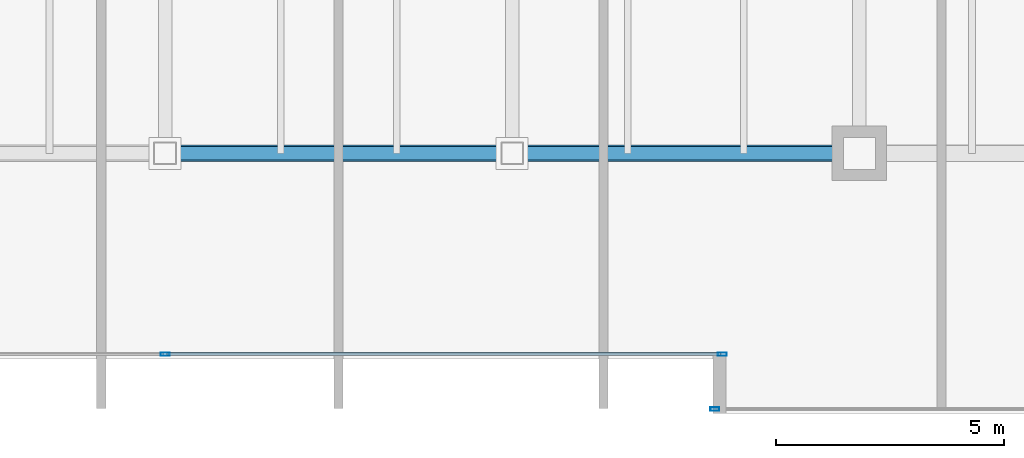
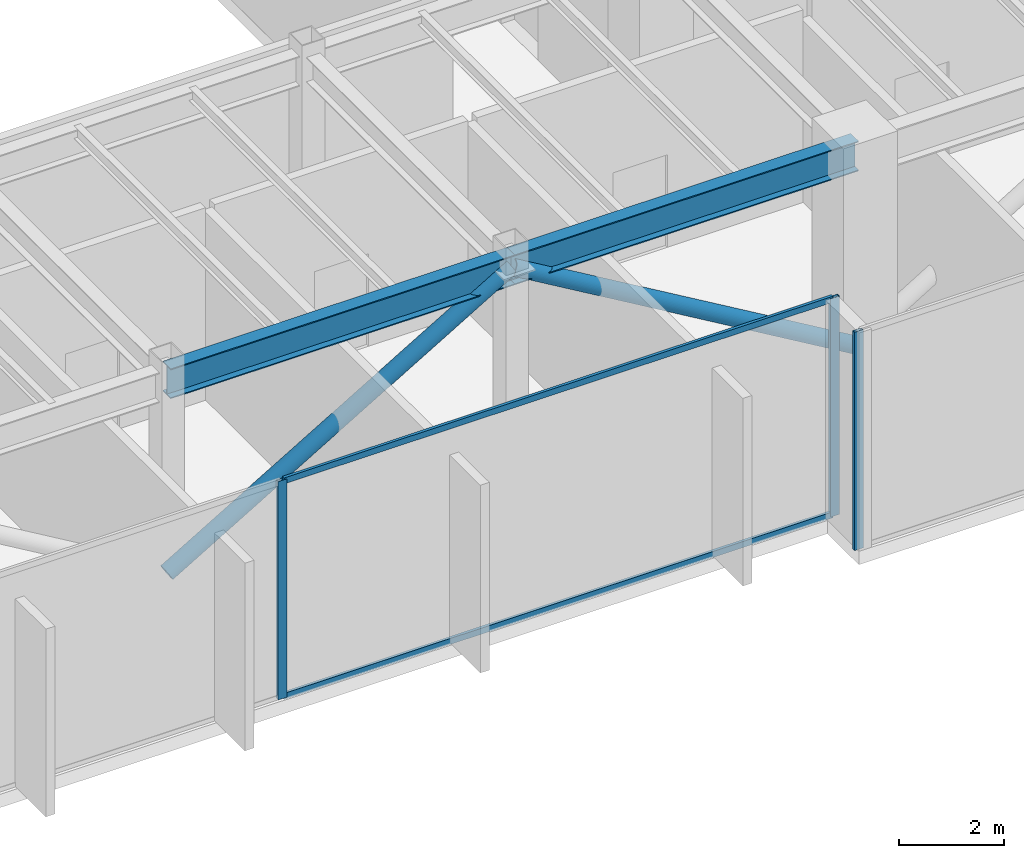
# One storey, part 10 of 34: 7 members, 2 beams, 2 elements without a shape of their own.
"""IFC4 building model written with IfcOpenShell, lengths in metres."""

from ifc_helpers import new_model, si_unit, direction, frame, origin, origin_2d, place, context, subcontext, project, spatial, hollow_rectangle, hollow_circle, i_section, extrude, source, transform, mapped, material, layer, layer_set, material_profile, profile_set, type_object, type_shapes, element, aggregate, save


model = new_model("IFC4")

# Units and contexts
model_context = context("Model", 3, precision=1e-05, world=origin(), true_north=direction((0.0, 1.0)))
body_context = subcontext(model_context, "Body", "Model", "MODEL_VIEW")
ifc_project = project(units=[si_unit("LENGTHUNIT", "METRE"), si_unit("AREAUNIT", "SQUARE_METRE"), si_unit("VOLUMEUNIT", "CUBIC_METRE"), si_unit("PLANEANGLEUNIT", "RADIAN"), si_unit("MASSUNIT", "GRAM", prefix="KILO")], contexts=[model_context])

# Site, building, storey
site_placement = place(None, origin())
site = spatial("IfcSite", under=ifc_project, at=site_placement, CompositionType="ELEMENT")
building_placement = place(site_placement, origin())
building = spatial("IfcBuilding", under=site, at=building_placement, Name="Haelvirn Gate Laboratories", CompositionType="ELEMENT")
storey_placement = place(building_placement, frame((0.0, 0.0, 191.199951171875)))
storey = spatial("IfcBuildingStorey", under=building, at=storey_placement, Name="L46", CompositionType="ELEMENT", Elevation=191.199951171875)

# Beams
ifc_material_1 = material(Name="Steel SM355", Category="steel")
ifc_material_profile_1 = material_profile(ifc_material_1, i_section(OverallWidth=0.300048828125, OverallDepth=0.699951171875, WebThickness=0.012939453125, FlangeThickness=0.02392578125, at=origin_2d()), Name="H-700x300x13x24")
ifc_profile_set_1 = profile_set([ifc_material_profile_1], Name="Steel SM355")
beam_type = type_object("IfcBeamType", Name="BM-G-700", PredefinedType="BEAM", material=ifc_profile_set_1)
shared_shape_1 = source(origin(), body_context, "Body", "SweptSolid", [
    extrude(i_section(OverallWidth=0.300048828125, OverallDepth=0.699951171875, WebThickness=0.012939453125, FlangeThickness=0.02392578125, at=origin_2d()), origin(), (0.0, 0.0, 1.0), 7.60009765625),
])
type_shapes(beam_type, [shared_shape_1])
for number, where, z_axis, x_axis, name in (
    (1, (37.39990234375, 7.0, 4.75), (1.0, 0.0, 0.0), (0.0, 1.0, 0.0), "L46 Primary Girder Y7.0 (37.4-45.0)"),
    (2, (45.0, 7.0, 4.75), (1.0, 0.0, 0.0), (0.0, 1.0, 0.0), "L46 Primary Girder Y7.0 (45.0-52.6)"),
):
    element("IfcBeam", number, at=place(storey_placement, frame(where, z_axis=z_axis, x_axis=x_axis)), inside=storey, type_object=beam_type, Name=name, PredefinedType="BEAM", context=body_context, shape_type="MappedRepresentation", body=[
        mapped(shared_shape_1, transform((0.0, 0.0, 0.0), scale=1.0)),
    ])

# Members
ifc_material_profile_2 = material_profile(ifc_material_1, hollow_circle(Radius=0.177734375, WallThickness=0.013916015625, at=origin_2d()), Name="CHS-355x14")
ifc_profile_set_2 = profile_set([ifc_material_profile_2], Name="Steel SM355")
member_type_1 = type_object("IfcMemberType", Name="MEM-BELT-1", PredefinedType="STRUT", material=ifc_profile_set_2)
shared_shape_2 = source(origin(), body_context, "Body", "SweptSolid", [
    extrude(hollow_circle(Radius=0.177734375, WallThickness=0.013916015625, at=origin_2d()), origin(), (0.0, 0.0, 1.0), 8.83251953125),
])
type_shapes(member_type_1, [shared_shape_2])
for number, where, z_axis, x_axis, name in (
    (3, (37.39990234375, 7.0, 0.25), (0.860478259115, 0.0, 0.509487159397), (0.0, 1.0, 0.0), "L46 Perimeter Belt Truss S5"),
    (4, (45.0, 7.0, 4.75), (0.860478259115, 0.0, -0.509487159397), (0.0, 1.0, 0.0), "L46 Perimeter Belt Truss S6"),
):
    element("IfcMember", number, at=place(storey_placement, frame(where, z_axis=z_axis, x_axis=x_axis)), inside=storey, type_object=member_type_1, Name=name, PredefinedType="STRUT", context=body_context, shape_type="MappedRepresentation", body=[
        mapped(shared_shape_2, transform((0.0, 0.0, 0.0), scale=1.0)),
    ])

# Curtain wall, members
ifc_material_2 = material(Name="Anodised bronze unitised aluminium & triple low-E glass", Category="aluminium")
ifc_layer = layer(ifc_material_2, 0.179931640625, Name="CW-SYS-3")
ifc_layer_set = layer_set([ifc_layer], Name="Anodised bronze unitised aluminium & triple low-E glass")
curtain_wall_type = type_object("IfcCurtainWallType", Name="CW-SYS-3", PredefinedType="NOTDEFINED", material=ifc_layer_set)
curtain_wall_1_placement = place(storey_placement, origin())
curtain_wall_1 = element("IfcCurtainWall", 5, at=curtain_wall_1_placement, inside=storey, type_object=curtain_wall_type, Name="L46 Unitised Curtain Wall CW-L46-P0-E02-1", PredefinedType="NOTDEFINED")
ifc_material_3 = material(Name="Extruded aluminium 6063-T6 (anodised bronze)", Category="aluminium")
ifc_material_profile_3 = material_profile(ifc_material_3, hollow_rectangle(XDim=0.06494140625, YDim=0.139892578125, WallThickness=0.00390625, at=origin_2d()), Name="CWT-140x65x4")
ifc_profile_set_3 = profile_set([ifc_material_profile_3], Name="Extruded aluminium 6063-T6 (anodised bronze)")
member_type_2 = type_object("IfcMemberType", Name="CWT-T140", PredefinedType="USERDEFINED", material=ifc_profile_set_3)
shared_shape_3 = source(origin(), body_context, "Body", "SweptSolid", [
    extrude(hollow_rectangle(XDim=0.06494140625, YDim=0.139892578125, WallThickness=0.00390625, at=origin_2d()), origin(), (0.0, 0.0, 1.0), 12.12744140625),
])
type_shapes(member_type_2, [shared_shape_3])
member_1_placement = place(storey_placement, frame((37.4375, 2.60009765625, 0.032470703125), z_axis=(1.0, 0.0, 0.0), x_axis=(0.0, 1.0, 0.0)))
member_1 = element("IfcMember", 6, at=member_1_placement, type_object=member_type_2, Name="CW3 transom 2.1", ObjectType="TRANSOM", PredefinedType="USERDEFINED", context=body_context, shape_type="MappedRepresentation", body=[
    mapped(shared_shape_3, transform((0.0, 0.0, 0.0), scale=1.0)),
])
member_2_placement = place(storey_placement, frame((37.4375, 2.60009765625, 5.067626953125), z_axis=(1.0, 0.0, 0.0), x_axis=(0.0, 1.0, 0.0)))
member_2 = element("IfcMember", 7, at=member_2_placement, type_object=member_type_2, Name="CW3 transom 2.2", ObjectType="TRANSOM", PredefinedType="USERDEFINED", context=body_context, shape_type="MappedRepresentation", body=[
    mapped(shared_shape_3, transform((0.0, 0.0, 0.0), scale=1.0)),
])
ifc_material_profile_4 = material_profile(ifc_material_3, hollow_rectangle(XDim=0.074951171875, YDim=0.199951171875, WallThickness=0.0048828125, at=origin_2d()), Name="CWM-200x75x5")
ifc_profile_set_4 = profile_set([ifc_material_profile_4], Name="Extruded aluminium 6063-T6 (anodised bronze)")
member_type_3 = type_object("IfcMemberType", Name="CWM-T200", PredefinedType="MULLION", material=ifc_profile_set_4)
shared_shape_4 = source(origin(), body_context, "Body", "SweptSolid", [
    extrude(hollow_rectangle(XDim=0.074951171875, YDim=0.199951171875, WallThickness=0.0048828125, at=origin_2d()), origin(), (0.0, 0.0, 1.0), 5.10009765625),
])
type_shapes(member_type_3, [shared_shape_4])
member_3_placement = place(storey_placement, frame((37.39990234375, 2.60009765625, 0.0), z_axis=(0.0, 0.0, 1.0), x_axis=(0.0, 1.0, 0.0)))
member_3 = element("IfcMember", 8, at=member_3_placement, type_object=member_type_3, Name="CW3 mullion 2", PredefinedType="MULLION", context=body_context, shape_type="MappedRepresentation", body=[
    mapped(shared_shape_4, transform((0.0, 0.0, 0.0), scale=1.0)),
])
member_4_placement = place(storey_placement, frame((49.6025390625, 2.60009765625, 0.0), z_axis=(0.0, 0.0, 1.0), x_axis=(0.0, 1.0, 0.0)))
member_4 = element("IfcMember", 9, at=member_4_placement, type_object=member_type_3, Name="CW3 mullion 3", PredefinedType="MULLION", context=body_context, shape_type="MappedRepresentation", body=[
    mapped(shared_shape_4, transform((0.0, 0.0, 0.0), scale=1.0)),
])
aggregate(curtain_wall_1, [member_3, member_4, member_1, member_2])

# Curtain wall, member
curtain_wall_2_placement = place(storey_placement, origin())
curtain_wall_2 = element("IfcCurtainWall", 10, at=curtain_wall_2_placement, inside=storey, type_object=curtain_wall_type, Name="L46 Unitised Curtain Wall CW-L46-P0-E04-1", PredefinedType="NOTDEFINED")
member_5_placement = place(storey_placement, frame((49.4375, 1.39990234375, 0.0), z_axis=(0.0, 0.0, 1.0), x_axis=(0.0, 1.0, 0.0)))
member_5 = element("IfcMember", 11, at=member_5_placement, type_object=member_type_3, Name="CW3 mullion 1", PredefinedType="MULLION", context=body_context, shape_type="MappedRepresentation", body=[
    mapped(shared_shape_4, transform((0.0, 0.0, 0.0), scale=1.0)),
])
aggregate(curtain_wall_2, [member_5])

save(model, "model.ifc")
